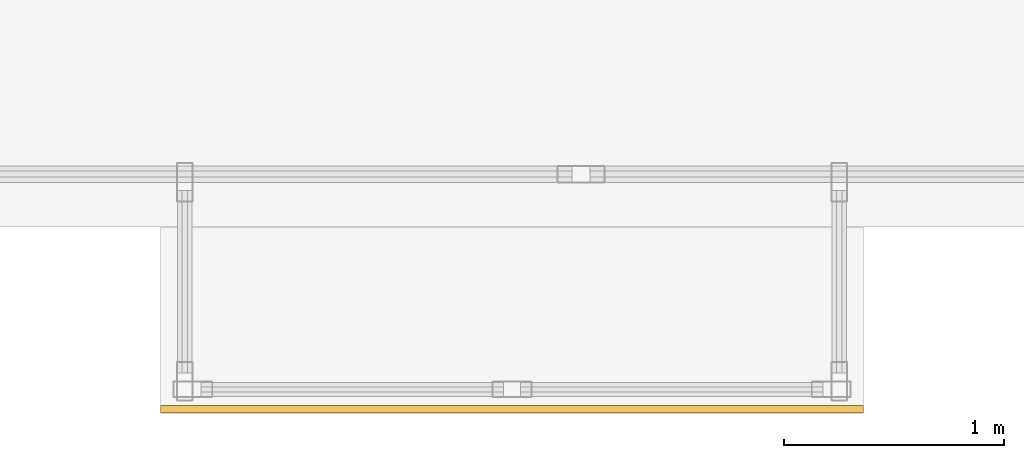
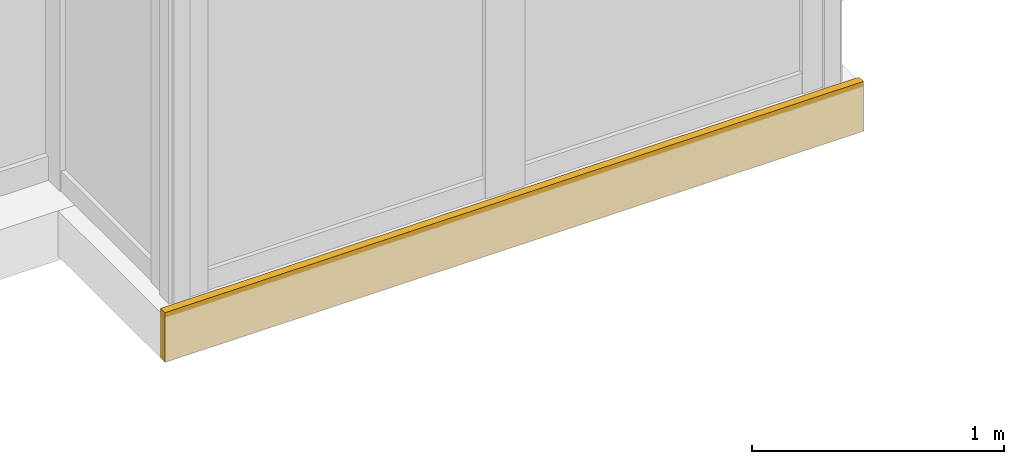
# One storey, part 25 of 26: 1 covering.
"""IFC4 building model written with IfcOpenShell, lengths in metres."""

from ifc_helpers import new_model, si_unit, direction, frame, origin, origin_2d, place, context, subcontext, project, spatial, rectangle, extrude, material, layer, layer_set, type_object, element, save


model = new_model("IFC4")

# Units and contexts
model_context = context("Model", 3, precision=1e-05, world=origin(), true_north=direction((0.0, 1.0)))
body_context = subcontext(model_context, "Body", "Model", "MODEL_VIEW")
ifc_project = project(units=[si_unit("LENGTHUNIT", "METRE"), si_unit("AREAUNIT", "SQUARE_METRE"), si_unit("VOLUMEUNIT", "CUBIC_METRE"), si_unit("PLANEANGLEUNIT", "RADIAN"), si_unit("MASSUNIT", "GRAM", prefix="KILO")], contexts=[model_context])

# Site, building, storey
site_placement = place(None, origin())
site = spatial("IfcSite", under=ifc_project, at=site_placement, CompositionType="ELEMENT")
building_placement = place(site_placement, origin())
building = spatial("IfcBuilding", under=site, at=building_placement, Name="Kolvaren Waterfront Exchange", CompositionType="ELEMENT")
storey_placement = place(building_placement, frame((0.0, 0.0, 165.199951171875)))
storey = spatial("IfcBuildingStorey", under=building, at=storey_placement, Name="L42", CompositionType="ELEMENT", Elevation=165.199951171875)

# Covering
ifc_material = material(Name="Anodised bronze fascia aluminium", Category="aluminium")
ifc_layer = layer(ifc_material, 0.034912109375, Name="Anodised bronze fascia aluminium")
ifc_layer_set = layer_set([ifc_layer], Name="Anodised bronze fascia aluminium")
covering_type = type_object("IfcCoveringType", Name="ARC-CLAD-BRONZE-35", PredefinedType="CLADDING", material=ifc_layer_set)
covering_placement = place(storey_placement, frame((40.5, 2.77001953125, -0.2197265625), z_axis=(0.0, 0.0, 1.0), x_axis=(1.0, 0.0, 0.0)))
element("IfcCovering", 1, at=covering_placement, inside=storey, type_object=covering_type, Name="L42 ribbed anodised bronze bay-box fascia", PredefinedType="CLADDING", context=body_context, shape_type="SweptSolid", body=[
    extrude(rectangle(XDim=3.199951171875, YDim=0.034912109375, at=origin_2d()), origin(), (0.0, 0.0, 1.0), 0.239990234375),
])

save(model, "model.ifc")
